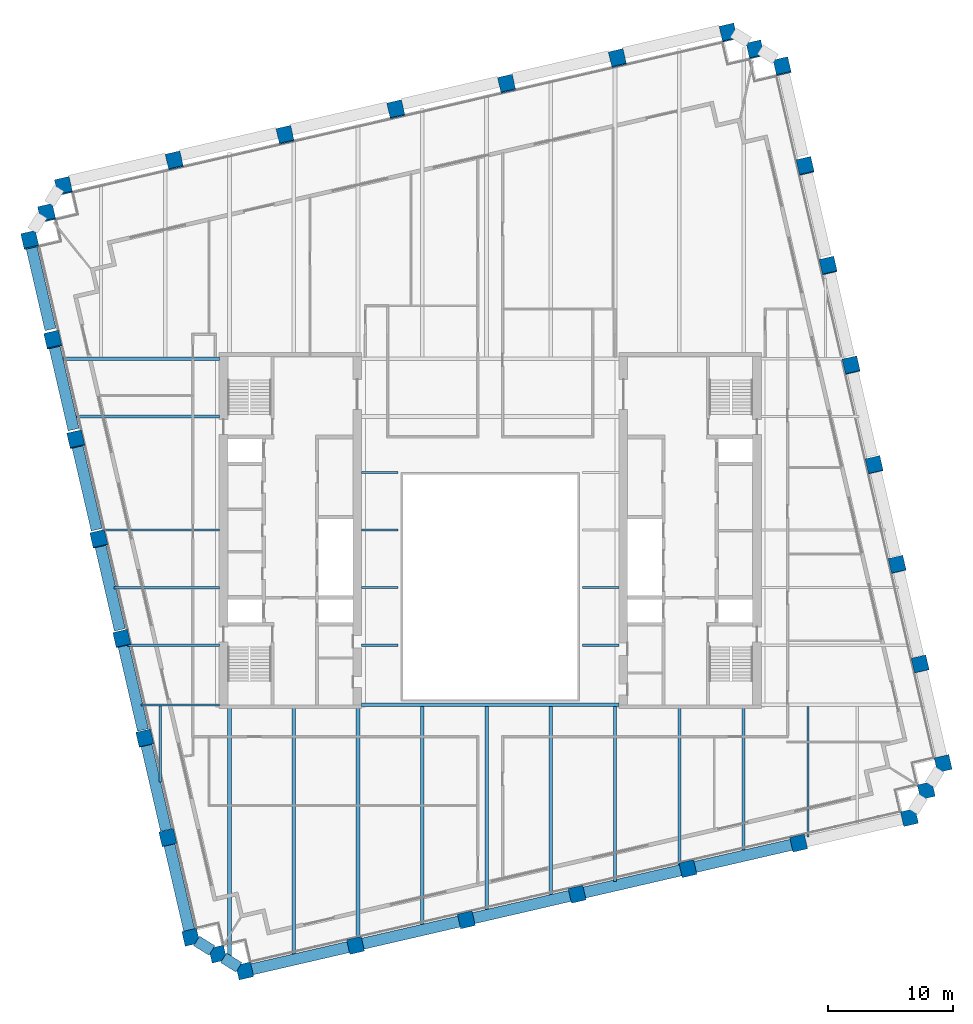
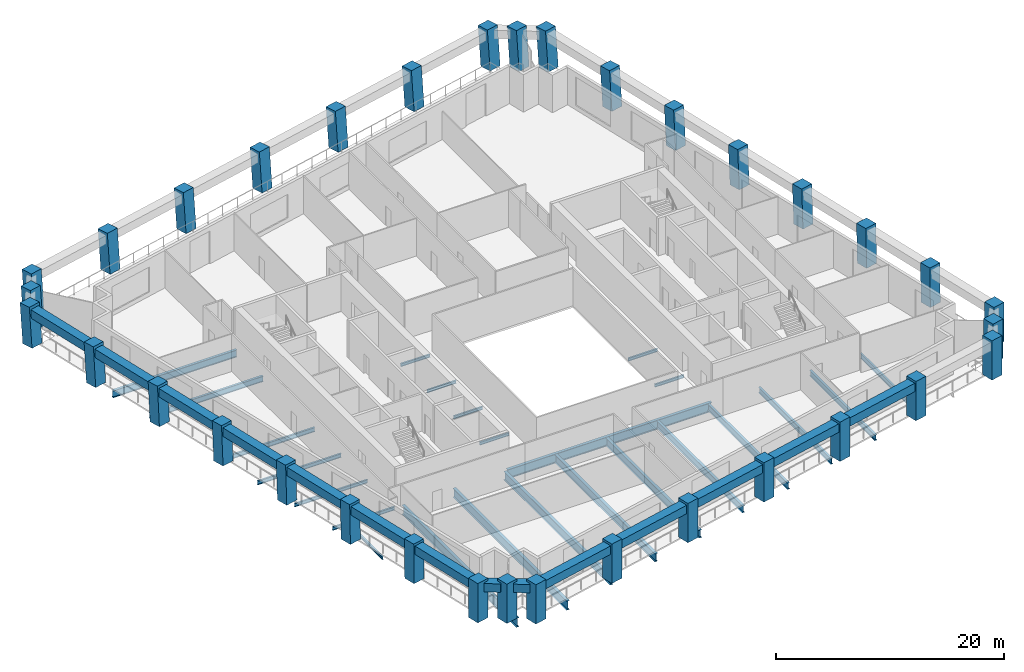
# One storey, part 1 of 10: 38 beams, 34 columns.
"""IFC4 building model written with IfcOpenShell, lengths in metres."""

from ifc_helpers import new_model, si_unit, direction, frame, origin, origin_2d, place, context, subcontext, project, spatial, rectangle, i_section, extrude, material, material_profile, profile_set, type_object, element, save


model = new_model("IFC4")

# Units and contexts
model_context = context("Model", 3, precision=1e-05, world=origin(), true_north=direction((0.0, 1.0)))
body_context = subcontext(model_context, "Body", "Model", "MODEL_VIEW")
ifc_project = project(units=[si_unit("LENGTHUNIT", "METRE"), si_unit("AREAUNIT", "SQUARE_METRE"), si_unit("VOLUMEUNIT", "CUBIC_METRE"), si_unit("PLANEANGLEUNIT", "RADIAN"), si_unit("MASSUNIT", "GRAM", prefix="KILO")], contexts=[model_context])

# Site, building, storey
site_placement = place(None, origin())
site = spatial("IfcSite", under=ifc_project, at=site_placement, CompositionType="ELEMENT")
building_placement = place(site_placement, origin())
building = spatial("IfcBuilding", under=site, at=building_placement, Name="Ogive Exchange Tower", CompositionType="ELEMENT")
storey_placement = place(building_placement, frame((0.0, 0.0, 196.800048828125)))
storey = spatial("IfcBuildingStorey", under=building, at=storey_placement, Name="L43", CompositionType="ELEMENT", Elevation=196.800048828125)

# Columns
ifc_material_1 = material(Name="Precast concrete C70/85 (limestone faced)", Category="masonry")
ifc_material_profile_1 = material_profile(ifc_material_1, rectangle(XDim=1.199951171875, YDim=1.199951171875, at=origin_2d()), Name="1200 x 1200")
ifc_profile_set_1 = profile_set([ifc_material_profile_1], Name="Precast concrete C70/85 (limestone faced)")
column_type = type_object("IfcColumnType", Name="Precast exoskeleton leg 1200 x 1200 C70/85", PredefinedType="COLUMN", material=ifc_profile_set_1)
for number, where, z_axis, x_axis, name in (
    (1, (-19.6494140625, -23.749267578125, 0.0), (0.0, 0.0, 1.0), (0.974370064785, 0.224951054344, 0.0), "Exoskeleton leg 1"),
    (2, (-10.782470703125, -21.7021484375, 0.0), (0.0, 0.0, 1.0), (0.974370064785, 0.224951054344, 0.0), "Exoskeleton leg 2"),
    (3, (-1.915771484375, -19.655029296875, 0.0), (0.0, 0.0, 1.0), (0.974370064785, 0.224951054344, 0.0), "Exoskeleton leg 3"),
    (4, (6.950927734375, -17.60791015625, 0.0), (0.0, 0.0, 1.0), (0.974370064785, 0.224951054344, 0.0), "Exoskeleton leg 4"),
    (5, (15.81787109375, -15.56103515625, 0.0), (0.0, 0.0, 1.0), (0.974370064785, 0.224951054344, 0.0), "Exoskeleton leg 5"),
    (6, (24.6845703125, -13.513916015625, 0.0), (0.0, 0.0, 1.0), (0.974370064785, 0.224951054344, 0.0), "Exoskeleton leg 6"),
    (7, (33.55126953125, -11.466796875, 0.0), (0.0, 0.0, 1.0), (0.974370064785, 0.224951054344, 0.0), "Exoskeleton leg 7"),
    (8, (36.249267578125, -7.1494140625, 0.0), (0.0, 0.0, 1.0), (0.974370064785, 0.224951054344, 0.0), "Exoskeleton leg 8"),
):
    element("IfcColumn", number, at=place(storey_placement, frame(where, z_axis=z_axis, x_axis=x_axis)), inside=storey, type_object=column_type, Name=name, PredefinedType="COLUMN", context=body_context, shape_type="SweptSolid", body=[
        extrude(rectangle(XDim=1.199951171875, YDim=1.199951171875, at=origin_2d()), origin(), (0.0, 0.0, 1.0), 4.199951171875),
    ])
column_1_placement = place(storey_placement, frame((34.410400390625, 0.815673828125, 0.0), z_axis=(-0.002731884952, 0.01168316756, 0.999928017609), x_axis=(-0.973733900744, -0.227689021567, 0.0)))
element("IfcColumn", 9, at=column_1_placement, inside=storey, type_object=column_type, Name="Exoskeleton leg 9", PredefinedType="COLUMN", context=body_context, shape_type="SweptSolid", body=[
    extrude(rectangle(XDim=1.199951171875, YDim=1.199951171875, at=origin_2d()), origin(), (0.0, 0.0, 1.0), 4.2001953125),
])
column_2_placement = place(storey_placement, frame((32.571533203125, 8.78076171875, 0.0), z_axis=(-0.005404479485, 0.023361298418, 0.999712479335), x_axis=(-0.974268511785, -0.225390476607, 0.0)))
element("IfcColumn", 10, at=column_2_placement, inside=storey, type_object=column_type, Name="Exoskeleton leg 10", PredefinedType="COLUMN", context=body_context, shape_type="SweptSolid", body=[
    extrude(rectangle(XDim=1.199951171875, YDim=1.199951171875, at=origin_2d()), origin(), (0.0, 0.0, 1.0), 4.201171875),
])
column_3_placement = place(storey_placement, frame((30.732666015625, 16.745849609375, 0.0), z_axis=(-0.008132835078, 0.035087374195, 0.999351156084), x_axis=(-0.97417327444, -0.225801752354, 0.0)))
element("IfcColumn", 11, at=column_3_placement, inside=storey, type_object=column_type, Name="Exoskeleton leg 11", PredefinedType="COLUMN", context=body_context, shape_type="SweptSolid", body=[
    extrude(rectangle(XDim=1.199951171875, YDim=1.199951171875, at=origin_2d()), origin(), (0.0, 0.0, 1.0), 4.20263671875),
])
column_4_placement = place(storey_placement, frame((28.893798828125, 24.710693359375, 0.0), z_axis=(-0.010799619665, 0.046740289408, 0.998848694028), x_axis=(-0.974329962248, -0.225124686929, 0.0)))
element("IfcColumn", 12, at=column_4_placement, inside=storey, type_object=column_type, Name="Exoskeleton leg 12", PredefinedType="COLUMN", context=body_context, shape_type="SweptSolid", body=[
    extrude(rectangle(XDim=1.199951171875, YDim=1.199951171875, at=origin_2d()), origin(), (0.0, 0.0, 1.0), 4.204833984375),
])
column_5_placement = place(storey_placement, frame((27.0546875, 32.67578125, 0.0), z_axis=(-0.013461799865, 0.058373149415, 0.998204064995), x_axis=(-0.974423835271, -0.224718021653, 0.0)))
element("IfcColumn", 13, at=column_5_placement, inside=storey, type_object=column_type, Name="Exoskeleton leg 13", PredefinedType="COLUMN", context=body_context, shape_type="SweptSolid", body=[
    extrude(rectangle(XDim=1.199951171875, YDim=1.199951171875, at=origin_2d()), origin(), (0.0, 0.0, 1.0), 4.20751953125),
])
column_6_placement = place(storey_placement, frame((25.216064453125, 40.640869140625, 0.0), z_axis=(-0.016176147103, 0.070038658424, 0.997413113304), x_axis=(-0.97435039746, -0.225036225904, 0.0)))
element("IfcColumn", 14, at=column_6_placement, inside=storey, type_object=column_type, Name="Exoskeleton leg 14", PredefinedType="COLUMN", context=body_context, shape_type="SweptSolid", body=[
    extrude(rectangle(XDim=1.199951171875, YDim=1.199951171875, at=origin_2d()), origin(), (0.0, 0.0, 1.0), 4.2109375),
])
for number, where, z_axis, x_axis, name in (
    (15, (23.377197265625, 48.60595703125, 0.0), (-0.018883660707, 0.081558878144, 0.996489616983), (-0.974227676113, -0.225566919327, 0.0), "Exoskeleton leg 15"),
    (16, (19.0595703125, 51.3037109375, 0.0), (-0.018883571463, 0.081616417765, 0.996484907603), (-0.974262845894, -0.225414966474, 0.0), "Exoskeleton leg 16"),
    (17, (10.19287109375, 49.2568359375, 0.0), (-0.018883660707, 0.081558878144, 0.996489616983), (-0.974227676113, -0.225566919327, 0.0), "Exoskeleton leg 17"),
    (18, (1.325927734375, 47.209716796875, 0.0), (-0.018825666958, 0.081616506903, 0.99648599592), (-0.974414501624, -0.224758490439, 0.0), "Exoskeleton leg 18"),
    (19, (-7.540771484375, 45.16259765625, 0.0), (-0.018825666958, 0.081616506903, 0.99648599592), (-0.974414501624, -0.224758490439, 0.0), "Exoskeleton leg 19"),
    (20, (-16.407470703125, 43.115478515625, 0.0), (-0.018825666958, 0.081616506903, 0.99648599592), (-0.974414501624, -0.224758490439, 0.0), "Exoskeleton leg 20"),
    (21, (-25.2744140625, 41.068603515625, 0.0), (-0.018825666958, 0.081616506903, 0.99648599592), (-0.974414501624, -0.224758490439, 0.0), "Exoskeleton leg 21"),
    (22, (-34.14111328125, 39.021484375, 0.0), (-0.018825666958, 0.081616506903, 0.99648599592), (-0.974414501624, -0.224758490439, 0.0), "Exoskeleton leg 22"),
    (23, (-36.839111328125, 34.7041015625, 0.0), (-0.018825755928, 0.08155896722, 0.996490705315), (-0.974379530941, -0.22491004798, 0.0), "Exoskeleton leg 23"),
):
    element("IfcColumn", number, at=place(storey_placement, frame(where, z_axis=z_axis, x_axis=x_axis)), inside=storey, type_object=column_type, Name=name, PredefinedType="COLUMN", context=body_context, shape_type="SweptSolid", body=[
        extrude(rectangle(XDim=1.199951171875, YDim=1.199951171875, at=origin_2d()), origin(), (0.0, 0.0, 1.0), 4.21484375),
    ])
column_7_placement = place(storey_placement, frame((-35.0, 26.739013671875, 0.0), z_axis=(-0.016176212764, 0.069980963462, 0.99741716192), x_axis=(-0.974309502923, -0.225213215672, 0.0)))
element("IfcColumn", 24, at=column_7_placement, inside=storey, type_object=column_type, Name="Exoskeleton leg 24", PredefinedType="COLUMN", context=body_context, shape_type="SweptSolid", body=[
    extrude(rectangle(XDim=1.199951171875, YDim=1.199951171875, at=origin_2d()), origin(), (0.0, 0.0, 1.0), 4.2109375),
])
column_8_placement = place(storey_placement, frame((-33.1611328125, 18.77392578125, 0.0), z_axis=(-0.013519814281, 0.05837310372, 0.998203283597), x_axis=(-0.974211350104, -0.225637420054, 0.0)))
element("IfcColumn", 25, at=column_8_placement, inside=storey, type_object=column_type, Name="Exoskeleton leg 25", PredefinedType="COLUMN", context=body_context, shape_type="SweptSolid", body=[
    extrude(rectangle(XDim=1.199951171875, YDim=1.199951171875, at=origin_2d()), origin(), (0.0, 0.0, 1.0), 4.20751953125),
])
column_9_placement = place(storey_placement, frame((-31.322509765625, 10.808837890625, 0.0), z_axis=(-0.010741563911, 0.046740318638, 0.998849318675), x_axis=(-0.974594841169, -0.223975211946, 0.0)))
element("IfcColumn", 26, at=column_9_placement, inside=storey, type_object=column_type, Name="Exoskeleton leg 26", PredefinedType="COLUMN", context=body_context, shape_type="SweptSolid", body=[
    extrude(rectangle(XDim=1.199951171875, YDim=1.199951171875, at=origin_2d()), origin(), (0.0, 0.0, 1.0), 4.204833984375),
])
column_10_placement = place(storey_placement, frame((-29.4833984375, 2.84375, 0.0), z_axis=(-0.008132835078, 0.035087374195, 0.999351156084), x_axis=(-0.97417327444, -0.225801752354, 0.0)))
element("IfcColumn", 27, at=column_10_placement, inside=storey, type_object=column_type, Name="Exoskeleton leg 27", PredefinedType="COLUMN", context=body_context, shape_type="SweptSolid", body=[
    extrude(rectangle(XDim=1.199951171875, YDim=1.199951171875, at=origin_2d()), origin(), (0.0, 0.0, 1.0), 4.20263671875),
])
column_11_placement = place(storey_placement, frame((-27.64453125, -5.12109375, 0.0), z_axis=(-0.005404479485, 0.023361298418, 0.999712479335), x_axis=(-0.974268511785, -0.225390476607, 0.0)))
element("IfcColumn", 28, at=column_11_placement, inside=storey, type_object=column_type, Name="Exoskeleton leg 28", PredefinedType="COLUMN", context=body_context, shape_type="SweptSolid", body=[
    extrude(rectangle(XDim=1.199951171875, YDim=1.199951171875, at=origin_2d()), origin(), (0.0, 0.0, 1.0), 4.201171875),
])
column_12_placement = place(storey_placement, frame((-25.8056640625, -13.086181640625, 0.0), z_axis=(-0.002731884952, 0.01168316756, 0.999928017609), x_axis=(-0.973733900744, -0.227689021567, 0.0)))
element("IfcColumn", 29, at=column_12_placement, inside=storey, type_object=column_type, Name="Exoskeleton leg 29", PredefinedType="COLUMN", context=body_context, shape_type="SweptSolid", body=[
    extrude(rectangle(XDim=1.199951171875, YDim=1.199951171875, at=origin_2d()), origin(), (0.0, 0.0, 1.0), 4.2001953125),
])
for number, where, z_axis, x_axis, name in (
    (30, (-23.966796875, -21.05126953125, 0.0), (0.0, 0.0, 1.0), (0.974370064785, 0.224951054344, 0.0), "Exoskeleton leg 30"),
    (31, (34.900146484375, -9.30810546875, 0.0), (0.0, 0.0, 1.0), (0.974370064785, 0.224951054344, 0.0), "Exoskeleton leg 31"),
):
    element("IfcColumn", number, at=place(storey_placement, frame(where, z_axis=z_axis, x_axis=x_axis)), inside=storey, type_object=column_type, Name=name, PredefinedType="COLUMN", context=body_context, shape_type="SweptSolid", body=[
        extrude(rectangle(XDim=1.199951171875, YDim=1.199951171875, at=origin_2d()), origin(), (0.0, 0.0, 1.0), 4.199951171875),
    ])
for number, where, z_axis, x_axis, name in (
    (32, (21.21826171875, 49.954833984375, 0.0), (-0.018825666958, 0.081616506903, 0.99648599592), (-0.974414501624, -0.224758490439, 0.0), "Exoskeleton leg 32"),
    (33, (-35.489990234375, 36.86279296875, 0.0), (-0.018825755928, 0.08155896722, 0.996490705315), (-0.974379530941, -0.22491004798, 0.0), "Exoskeleton leg 33"),
):
    element("IfcColumn", number, at=place(storey_placement, frame(where, z_axis=z_axis, x_axis=x_axis)), inside=storey, type_object=column_type, Name=name, PredefinedType="COLUMN", context=body_context, shape_type="SweptSolid", body=[
        extrude(rectangle(XDim=1.199951171875, YDim=1.199951171875, at=origin_2d()), origin(), (0.0, 0.0, 1.0), 4.21484375),
    ])
column_13_placement = place(storey_placement, frame((-21.80810546875, -22.400146484375, 0.0), z_axis=(0.0, 0.0, 1.0), x_axis=(0.974370064785, 0.224951054344, 0.0)))
element("IfcColumn", 34, at=column_13_placement, inside=storey, type_object=column_type, Name="Exoskeleton leg 34", PredefinedType="COLUMN", context=body_context, shape_type="SweptSolid", body=[
    extrude(rectangle(XDim=1.199951171875, YDim=1.199951171875, at=origin_2d()), origin(), (0.0, 0.0, 1.0), 4.199951171875),
])

# Beams
ifc_material_2 = material(Name="Steel ASTM A992 Gr50", Category="steel")
ifc_material_profile_2 = material_profile(ifc_material_2, i_section(OverallWidth=0.300048828125, OverallDepth=0.969970703125, WebThickness=0.01611328125, FlangeThickness=0.02099609375, at=origin_2d()), Name="W1000x222")
ifc_profile_set_2 = profile_set([ifc_material_profile_2], Name="Steel ASTM A992 Gr50")
beam_type_1 = type_object("IfcBeamType", Name="Floor beam W1000x222", PredefinedType="JOIST", material=ifc_profile_set_2)
beam_1_placement = place(storey_placement, frame((-20.868896484375, -22.6064453125, -0.68505859375), z_axis=(0.0, 1.0, 0.0), x_axis=(-1.0, 0.0, 0.0)))
element("IfcBeam", 35, at=beam_1_placement, inside=storey, type_object=beam_type_1, Name="Floor beam", PredefinedType="JOIST", context=body_context, shape_type="SweptSolid", body=[
    extrude(i_section(OverallWidth=0.300048828125, OverallDepth=0.969970703125, WebThickness=0.01611328125, FlangeThickness=0.02099609375, at=origin_2d()), origin(), (0.0, 0.0, 1.0), 20.00634765625),
])
beam_2_placement = place(storey_placement, frame((-15.725341796875, -22.531494140625, -0.68505859375), z_axis=(0.0, 1.0, 0.0), x_axis=(-1.0, 0.0, 0.0)))
element("IfcBeam", 36, at=beam_2_placement, inside=storey, type_object=beam_type_1, Name="Floor beam", PredefinedType="JOIST", context=body_context, shape_type="SweptSolid", body=[
    extrude(i_section(OverallWidth=0.300048828125, OverallDepth=0.969970703125, WebThickness=0.01611328125, FlangeThickness=0.02099609375, at=origin_2d()), origin(), (0.0, 0.0, 1.0), 19.931396484375),
])
ifc_material_profile_3 = material_profile(ifc_material_2, i_section(OverallWidth=0.1650390625, OverallDepth=0.31005859375, WebThickness=0.005859375, FlangeThickness=0.009765625, at=origin_2d()), Name="W310x38.7")
ifc_profile_set_3 = profile_set([ifc_material_profile_3], Name="Steel ASTM A992 Gr50")
beam_type_2 = type_object("IfcBeamType", Name="Floor beam W310x38.7", PredefinedType="JOIST", material=ifc_profile_set_3)
for number, where, z_axis, x_axis, name in (
    (37, (-10.320068359375, 2.3212890625, -0.35498046875), (1.0, 0.0, 0.0), (0.0, 1.0, 0.0), "Floor beam"),
    (38, (7.3701171875, 2.3212890625, -0.35498046875), (1.0, 0.0, 0.0), (0.0, 1.0, 0.0), "Floor beam"),
    (39, (-10.320068359375, 6.9326171875, -0.35498046875), (1.0, 0.0, 0.0), (0.0, 1.0, 0.0), "Floor beam"),
    (40, (7.3701171875, 6.9326171875, -0.35498046875), (1.0, 0.0, 0.0), (0.0, 1.0, 0.0), "Floor beam"),
    (41, (-10.320068359375, 11.543701171875, -0.35498046875), (1.0, 0.0, 0.0), (0.0, 1.0, 0.0), "Floor beam"),
):
    element("IfcBeam", number, at=place(storey_placement, frame(where, z_axis=z_axis, x_axis=x_axis)), inside=storey, type_object=beam_type_2, Name=name, PredefinedType="JOIST", context=body_context, shape_type="SweptSolid", body=[
        extrude(i_section(OverallWidth=0.1650390625, OverallDepth=0.31005859375, WebThickness=0.005859375, FlangeThickness=0.009765625, at=origin_2d()), origin(), (0.0, 0.0, 1.0), 2.949951171875),
    ])
beam_3_placement = place(storey_placement, frame((-26.412353515625, -8.6083984375, -0.35498046875), z_axis=(0.0, 1.0, 0.0), x_axis=(-1.0, 0.0, 0.0)))
element("IfcBeam", 42, at=beam_3_placement, inside=storey, type_object=beam_type_2, Name="Floor beam", PredefinedType="JOIST", context=body_context, shape_type="SweptSolid", body=[
    extrude(i_section(OverallWidth=0.1650390625, OverallDepth=0.31005859375, WebThickness=0.005859375, FlangeThickness=0.009765625, at=origin_2d()), origin(), (0.0, 0.0, 1.0), 6.077880859375),
])
ifc_material_profile_4 = material_profile(ifc_material_2, i_section(OverallWidth=0.1708984375, OverallDepth=0.35595703125, WebThickness=0.00732421875, FlangeThickness=0.01171875, at=origin_2d()), Name="W360x51")
ifc_profile_set_4 = profile_set([ifc_material_profile_4], Name="Steel ASTM A992 Gr50")
beam_type_3 = type_object("IfcBeamType", Name="Floor beam W360x51", PredefinedType="JOIST", material=ifc_profile_set_4)
beam_4_placement = place(storey_placement, frame((-29.051025390625, 2.3212890625, -0.3779296875), z_axis=(1.0, 0.0, 0.0), x_axis=(0.0, 1.0, 0.0)))
element("IfcBeam", 43, at=beam_4_placement, inside=storey, type_object=beam_type_3, Name="Floor beam", PredefinedType="JOIST", context=body_context, shape_type="SweptSolid", body=[
    extrude(i_section(OverallWidth=0.1708984375, OverallDepth=0.35595703125, WebThickness=0.00732421875, FlangeThickness=0.01171875, at=origin_2d()), origin(), (0.0, 0.0, 1.0), 7.37109375),
])
ifc_material_profile_5 = material_profile(ifc_material_2, i_section(OverallWidth=0.177978515625, OverallDepth=0.406005859375, WebThickness=0.0078125, FlangeThickness=0.0126953125, at=origin_2d()), Name="W410x60")
ifc_profile_set_5 = profile_set([ifc_material_profile_5], Name="Steel ASTM A992 Gr50")
beam_type_4 = type_object("IfcBeamType", Name="Floor beam W410x60", PredefinedType="JOIST", material=ifc_profile_set_5)
beam_5_placement = place(storey_placement, frame((-30.115478515625, 6.9326171875, -0.403076171875), z_axis=(1.0, 0.0, 0.0), x_axis=(0.0, 1.0, 0.0)))
element("IfcBeam", 44, at=beam_5_placement, inside=storey, type_object=beam_type_4, Name="Floor beam", PredefinedType="JOIST", context=body_context, shape_type="SweptSolid", body=[
    extrude(i_section(OverallWidth=0.177978515625, OverallDepth=0.406005859375, WebThickness=0.0078125, FlangeThickness=0.0126953125, at=origin_2d()), origin(), (0.0, 0.0, 1.0), 8.435546875),
])
ifc_material_profile_6 = material_profile(ifc_material_2, i_section(OverallWidth=0.19091796875, OverallDepth=0.45703125, WebThickness=0.009033203125, FlangeThickness=0.014404296875, at=origin_2d()), Name="W460x74")
ifc_profile_set_6 = profile_set([ifc_material_profile_6], Name="Steel ASTM A992 Gr50")
beam_type_5 = type_object("IfcBeamType", Name="Floor beam W460x74", PredefinedType="JOIST", material=ifc_profile_set_6)
beam_6_placement = place(storey_placement, frame((-31.0302734375, 11.543701171875, -0.428466796875), z_axis=(1.0, 0.0, 0.0), x_axis=(0.0, 1.0, 0.0)))
element("IfcBeam", 45, at=beam_6_placement, inside=storey, type_object=beam_type_5, Name="Floor beam", PredefinedType="JOIST", context=body_context, shape_type="SweptSolid", body=[
    extrude(i_section(OverallWidth=0.19091796875, OverallDepth=0.45703125, WebThickness=0.009033203125, FlangeThickness=0.014404296875, at=origin_2d()), origin(), (0.0, 0.0, 1.0), 9.350341796875),
])
ifc_material_profile_7 = material_profile(ifc_material_2, i_section(OverallWidth=0.1669921875, OverallDepth=0.535888671875, WebThickness=0.01025390625, FlangeThickness=0.0166015625, at=origin_2d()), Name="W530x85")
ifc_profile_set_7 = profile_set([ifc_material_profile_7], Name="Steel ASTM A992 Gr50")
beam_type_6 = type_object("IfcBeamType", Name="Floor beam W530x85", PredefinedType="JOIST", material=ifc_profile_set_7)
beam_7_placement = place(storey_placement, frame((25.422607421875, -13.03173828125, -0.468017578125), z_axis=(0.0, 1.0, 0.0), x_axis=(-1.0, 0.0, 0.0)))
element("IfcBeam", 46, at=beam_7_placement, inside=storey, type_object=beam_type_6, Name="Floor beam", PredefinedType="JOIST", context=body_context, shape_type="SweptSolid", body=[
    extrude(i_section(OverallWidth=0.1669921875, OverallDepth=0.535888671875, WebThickness=0.01025390625, FlangeThickness=0.0166015625, at=origin_2d()), origin(), (0.0, 0.0, 1.0), 10.453125),
])
ifc_material_profile_8 = material_profile(ifc_material_2, i_section(OverallWidth=0.22802734375, OverallDepth=0.60205078125, WebThickness=0.010498046875, FlangeThickness=0.014892578125, at=origin_2d()), Name="W610x101")
ifc_profile_set_8 = profile_set([ifc_material_profile_8], Name="Steel ASTM A992 Gr50")
beam_type_7 = type_object("IfcBeamType", Name="Floor beam W610x101", PredefinedType="JOIST", material=ifc_profile_set_8)
beam_8_placement = place(storey_placement, frame((-33.126220703125, 20.62255859375, -0.5009765625), z_axis=(1.0, 0.0, 0.0), x_axis=(0.0, 1.0, 0.0)))
element("IfcBeam", 47, at=beam_8_placement, inside=storey, type_object=beam_type_7, Name="Floor beam", PredefinedType="JOIST", context=body_context, shape_type="SweptSolid", body=[
    extrude(i_section(OverallWidth=0.22802734375, OverallDepth=0.60205078125, WebThickness=0.010498046875, FlangeThickness=0.014892578125, at=origin_2d()), origin(), (0.0, 0.0, 1.0), 11.4462890625),
])
beam_9_placement = place(storey_placement, frame((20.279052734375, -14.069091796875, -0.5009765625), z_axis=(0.0, 1.0, 0.0), x_axis=(-1.0, 0.0, 0.0)))
element("IfcBeam", 48, at=beam_9_placement, inside=storey, type_object=beam_type_7, Name="Floor beam", PredefinedType="JOIST", context=body_context, shape_type="SweptSolid", body=[
    extrude(i_section(OverallWidth=0.22802734375, OverallDepth=0.60205078125, WebThickness=0.010498046875, FlangeThickness=0.014892578125, at=origin_2d()), origin(), (0.0, 0.0, 1.0), 11.468994140625),
])
ifc_material_profile_9 = material_profile(ifc_material_2, i_section(OverallWidth=0.22900390625, OverallDepth=0.612060546875, WebThickness=0.011962890625, FlangeThickness=0.01953125, at=origin_2d()), Name="W610x125")
ifc_profile_set_9 = profile_set([ifc_material_profile_9], Name="Steel ASTM A992 Gr50")
beam_type_8 = type_object("IfcBeamType", Name="Floor beam W610x125", PredefinedType="JOIST", material=ifc_profile_set_9)
beam_10_placement = place(storey_placement, frame((15.135498046875, -15.256591796875, -0.506103515625), z_axis=(0.0, 1.0, 0.0), x_axis=(-1.0, 0.0, 0.0)))
element("IfcBeam", 49, at=beam_10_placement, inside=storey, type_object=beam_type_8, Name="Floor beam", PredefinedType="JOIST", context=body_context, shape_type="SweptSolid", body=[
    extrude(i_section(OverallWidth=0.22900390625, OverallDepth=0.612060546875, WebThickness=0.011962890625, FlangeThickness=0.01953125, at=origin_2d()), origin(), (0.0, 0.0, 1.0), 12.656494140625),
])
ifc_material_profile_10 = material_profile(ifc_material_2, i_section(OverallWidth=0.25390625, OverallDepth=0.677978515625, WebThickness=0.01171875, FlangeThickness=0.016357421875, at=origin_2d()), Name="W690x125")
ifc_profile_set_10 = profile_set([ifc_material_profile_10], Name="Steel ASTM A992 Gr50")
beam_type_9 = type_object("IfcBeamType", Name="Floor beam W690x125", PredefinedType="JOIST", material=ifc_profile_set_10)
beam_11_placement = place(storey_placement, frame((9.9921875, -16.593994140625, -0.5390625), z_axis=(0.0, 1.0, 0.0), x_axis=(-1.0, 0.0, 0.0)))
element("IfcBeam", 50, at=beam_11_placement, inside=storey, type_object=beam_type_9, Name="Floor beam", PredefinedType="JOIST", context=body_context, shape_type="SweptSolid", body=[
    extrude(i_section(OverallWidth=0.25390625, OverallDepth=0.677978515625, WebThickness=0.01171875, FlangeThickness=0.016357421875, at=origin_2d()), origin(), (0.0, 0.0, 1.0), 13.9990234375),
])
ifc_material_profile_11 = material_profile(ifc_material_2, i_section(OverallWidth=0.26708984375, OverallDepth=0.75390625, WebThickness=0.01318359375, FlangeThickness=0.01708984375, at=origin_2d()), Name="W760x147")
ifc_profile_set_11 = profile_set([ifc_material_profile_11], Name="Steel ASTM A992 Gr50")
beam_type_10 = type_object("IfcBeamType", Name="Floor beam W760x147", PredefinedType="JOIST", material=ifc_profile_set_11)
beam_12_placement = place(storey_placement, frame((4.8486328125, -17.631591796875, -0.5771484375), z_axis=(0.0, 1.0, 0.0), x_axis=(-1.0, 0.0, 0.0)))
element("IfcBeam", 51, at=beam_12_placement, inside=storey, type_object=beam_type_10, Name="Floor beam", PredefinedType="JOIST", context=body_context, shape_type="SweptSolid", body=[
    extrude(i_section(OverallWidth=0.26708984375, OverallDepth=0.75390625, WebThickness=0.01318359375, FlangeThickness=0.01708984375, at=origin_2d()), origin(), (0.0, 0.0, 1.0), 15.03662109375),
])
ifc_material_profile_12 = material_profile(ifc_material_2, i_section(OverallWidth=0.2919921875, OverallDepth=0.8359375, WebThickness=0.013916015625, FlangeThickness=0.018798828125, at=origin_2d()), Name="W840x176")
ifc_profile_set_12 = profile_set([ifc_material_profile_12], Name="Steel ASTM A992 Gr50")
beam_type_11 = type_object("IfcBeamType", Name="Floor beam W840x176", PredefinedType="JOIST", material=ifc_profile_set_12)
beam_13_placement = place(storey_placement, frame((-0.294921875, -18.968994140625, -0.6181640625), z_axis=(0.0, 1.0, 0.0), x_axis=(-1.0, 0.0, 0.0)))
element("IfcBeam", 52, at=beam_13_placement, inside=storey, type_object=beam_type_11, Name="Floor beam", PredefinedType="JOIST", context=body_context, shape_type="SweptSolid", body=[
    extrude(i_section(OverallWidth=0.2919921875, OverallDepth=0.8359375, WebThickness=0.013916015625, FlangeThickness=0.018798828125, at=origin_2d()), origin(), (0.0, 0.0, 1.0), 16.3740234375),
])
ifc_material_profile_13 = material_profile(ifc_material_2, i_section(OverallWidth=0.2919921875, OverallDepth=0.845947265625, WebThickness=0.015380859375, FlangeThickness=0.0244140625, at=origin_2d()), Name="W840x210")
ifc_profile_set_13 = profile_set([ifc_material_profile_13], Name="Steel ASTM A992 Gr50")
beam_type_12 = type_object("IfcBeamType", Name="Floor beam W840x210", PredefinedType="JOIST", material=ifc_profile_set_13)
beam_14_placement = place(storey_placement, frame((-5.4384765625, -20.156494140625, -0.623046875), z_axis=(0.0, 1.0, 0.0), x_axis=(-1.0, 0.0, 0.0)))
element("IfcBeam", 53, at=beam_14_placement, inside=storey, type_object=beam_type_12, Name="Floor beam", PredefinedType="JOIST", context=body_context, shape_type="SweptSolid", body=[
    extrude(i_section(OverallWidth=0.2919921875, OverallDepth=0.845947265625, WebThickness=0.015380859375, FlangeThickness=0.0244140625, at=origin_2d()), origin(), (0.0, 0.0, 1.0), 17.5615234375),
])
ifc_material_profile_14 = material_profile(ifc_material_2, i_section(OverallWidth=0.304931640625, OverallDepth=0.904052734375, WebThickness=0.01513671875, FlangeThickness=0.02001953125, at=origin_2d()), Name="W920x201")
ifc_profile_set_14 = profile_set([ifc_material_profile_14], Name="Steel ASTM A992 Gr50")
beam_type_13 = type_object("IfcBeamType", Name="Floor beam W920x201", PredefinedType="JOIST", material=ifc_profile_set_14)
beam_15_placement = place(storey_placement, frame((-10.581787109375, -21.194091796875, -0.652099609375), z_axis=(0.0, 1.0, 0.0), x_axis=(-1.0, 0.0, 0.0)))
element("IfcBeam", 54, at=beam_15_placement, inside=storey, type_object=beam_type_13, Name="Floor beam", PredefinedType="JOIST", context=body_context, shape_type="SweptSolid", body=[
    extrude(i_section(OverallWidth=0.304931640625, OverallDepth=0.904052734375, WebThickness=0.01513671875, FlangeThickness=0.02001953125, at=origin_2d()), origin(), (0.0, 0.0, 1.0), 18.593994140625),
])
ifc_material_profile_15 = material_profile(ifc_material_2, i_section(OverallWidth=0.300048828125, OverallDepth=0.97998046875, WebThickness=0.0166015625, FlangeThickness=0.026123046875, at=origin_2d()), Name="W1000x249")
ifc_profile_set_15 = profile_set([ifc_material_profile_15], Name="Steel ASTM A992 Gr50")
beam_type_14 = type_object("IfcBeamType", Name="Girder W1000x249", PredefinedType="BEAM", material=ifc_profile_set_15)
beam_16_placement = place(storey_placement, frame((-10.320068359375, -2.445068359375, -0.68994140625), z_axis=(1.0, 0.0, 0.0), x_axis=(0.0, 1.0, 0.0)))
element("IfcBeam", 55, at=beam_16_placement, inside=storey, type_object=beam_type_14, Name="Header girder", PredefinedType="BEAM", context=body_context, shape_type="SweptSolid", body=[
    extrude(i_section(OverallWidth=0.300048828125, OverallDepth=0.97998046875, WebThickness=0.0166015625, FlangeThickness=0.026123046875, at=origin_2d()), origin(), (0.0, 0.0, 1.0), 20.64013671875),
])
ifc_material_profile_16 = material_profile(ifc_material_2, i_section(OverallWidth=0.1650390625, OverallDepth=0.31005859375, WebThickness=0.005859375, FlangeThickness=0.009765625, at=origin_2d()), Name="W310x38.7")
ifc_profile_set_16 = profile_set([ifc_material_profile_16], Name="Steel ASTM A992 Gr50")
beam_type_15 = type_object("IfcBeamType", Name="Girder W310x38.7", PredefinedType="BEAM", material=ifc_profile_set_16)
beam_17_placement = place(storey_placement, frame((-10.320068359375, 16.155029296875, -0.35498046875), z_axis=(1.0, 0.0, 0.0), x_axis=(0.0, 1.0, 0.0)))
element("IfcBeam", 56, at=beam_17_placement, inside=storey, type_object=beam_type_15, Name="Trimmer girder", PredefinedType="BEAM", context=body_context, shape_type="SweptSolid", body=[
    extrude(i_section(OverallWidth=0.1650390625, OverallDepth=0.31005859375, WebThickness=0.005859375, FlangeThickness=0.009765625, at=origin_2d()), origin(), (0.0, 0.0, 1.0), 2.949951171875),
])
ifc_material_profile_17 = material_profile(ifc_material_2, i_section(OverallWidth=0.1708984375, OverallDepth=0.35595703125, WebThickness=0.00732421875, FlangeThickness=0.01171875, at=origin_2d()), Name="W360x51")
ifc_profile_set_17 = profile_set([ifc_material_profile_17], Name="Steel ASTM A992 Gr50")
beam_type_16 = type_object("IfcBeamType", Name="Girder W360x51", PredefinedType="BEAM", material=ifc_profile_set_17)
beam_18_placement = place(storey_placement, frame((-27.95068359375, -2.445068359375, -0.3779296875), z_axis=(1.0, 0.0, 0.0), x_axis=(0.0, 1.0, 0.0)))
element("IfcBeam", 57, at=beam_18_placement, inside=storey, type_object=beam_type_16, Name="Header girder", PredefinedType="BEAM", context=body_context, shape_type="SweptSolid", body=[
    extrude(i_section(OverallWidth=0.1708984375, OverallDepth=0.35595703125, WebThickness=0.00732421875, FlangeThickness=0.01171875, at=origin_2d()), origin(), (0.0, 0.0, 1.0), 6.270751953125),
])
ifc_material_profile_18 = material_profile(ifc_material_2, i_section(OverallWidth=0.26708984375, OverallDepth=0.75390625, WebThickness=0.01318359375, FlangeThickness=0.01708984375, at=origin_2d()), Name="W760x147")
ifc_profile_set_18 = profile_set([ifc_material_profile_18], Name="Steel ASTM A992 Gr50")
beam_type_17 = type_object("IfcBeamType", Name="Girder W760x147", PredefinedType="BEAM", material=ifc_profile_set_18)
beam_19_placement = place(storey_placement, frame((-34.193359375, 25.2451171875, -0.5771484375), z_axis=(1.0, 0.0, 0.0), x_axis=(0.0, 1.0, 0.0)))
element("IfcBeam", 58, at=beam_19_placement, inside=storey, type_object=beam_type_17, Name="Header girder", PredefinedType="BEAM", context=body_context, shape_type="SweptSolid", body=[
    extrude(i_section(OverallWidth=0.26708984375, OverallDepth=0.75390625, WebThickness=0.01318359375, FlangeThickness=0.01708984375, at=origin_2d()), origin(), (0.0, 0.0, 1.0), 12.513427734375),
])
ifc_material_profile_19 = material_profile(ifc_material_1, rectangle(XDim=0.89990234375, YDim=0.89990234375, at=origin_2d()), Name="900 x 900")
ifc_profile_set_19 = profile_set([ifc_material_profile_19], Name="Precast concrete C70/85 (limestone faced)")
beam_type_18 = type_object("IfcBeamType", Name="Precast spandrel 900 x 900 C70/85", PredefinedType="SPANDREL", material=ifc_profile_set_19)
beam_20_placement = place(storey_placement, frame((-19.084228515625, -23.61865234375, 3.5), z_axis=(0.974369944206, 0.224951576629, 0.0), x_axis=(-0.224951576629, 0.974369944206, 0.0)))
element("IfcBeam", 59, at=beam_20_placement, inside=storey, type_object=beam_type_18, Name="Spandrel 1", PredefinedType="SPANDREL", context=body_context, shape_type="SweptSolid", body=[
    extrude(rectangle(XDim=0.89990234375, YDim=0.89990234375, at=origin_2d()), origin(), (0.0, 0.0, 1.0), 7.940185546875),
])
beam_21_placement = place(storey_placement, frame((-10.21728515625, -21.57177734375, 3.5), z_axis=(0.974368388194, 0.224958316335, 0.0), x_axis=(-0.224958316335, 0.974368388194, 0.0)))
element("IfcBeam", 60, at=beam_21_placement, inside=storey, type_object=beam_type_18, Name="Spandrel 2", PredefinedType="SPANDREL", context=body_context, shape_type="SweptSolid", body=[
    extrude(rectangle(XDim=0.89990234375, YDim=0.89990234375, at=origin_2d()), origin(), (0.0, 0.0, 1.0), 7.93994140625),
])
for number, where, z_axis, x_axis, name in (
    (61, (-1.3505859375, -19.524658203125, 3.5), (0.974369944206, 0.224951576629, 0.0), (-0.224951576629, 0.974369944206, 0.0), "Spandrel 3"),
    (62, (7.51611328125, -17.4775390625, 3.5), (0.974369944206, 0.224951576629, 0.0), (-0.224951576629, 0.974369944206, 0.0), "Spandrel 4"),
    (63, (16.3828125, -15.430419921875, 3.5), (0.974369944206, 0.224951576629, 0.0), (-0.224951576629, 0.974369944206, 0.0), "Spandrel 5"),
):
    element("IfcBeam", number, at=place(storey_placement, frame(where, z_axis=z_axis, x_axis=x_axis)), inside=storey, type_object=beam_type_18, Name=name, PredefinedType="SPANDREL", context=body_context, shape_type="SweptSolid", body=[
        extrude(rectangle(XDim=0.89990234375, YDim=0.89990234375, at=origin_2d()), origin(), (0.0, 0.0, 1.0), 7.940185546875),
    ])
for number, where, z_axis, x_axis, name in (
    (64, (-36.787841796875, 34.482666015625, 3.5), (0.224965505788, -0.974366728294, 0.0), (0.974366728294, 0.224965505788, 0.0), "Spandrel 26"),
    (65, (-34.937744140625, 26.468505859375, 3.5), (0.224965505788, -0.974366728294, 0.0), (0.974366728294, 0.224965505788, 0.0), "Spandrel 27"),
    (66, (-33.08740234375, 18.454345703125, 3.5), (0.224932697399, -0.974374302638, 0.0), (0.974374302638, 0.224932697399, 0.0), "Spandrel 28"),
    (67, (-31.2373046875, 10.440185546875, 3.5), (0.224965505788, -0.974366728294, 0.0), (0.974366728294, 0.224965505788, 0.0), "Spandrel 29"),
    (68, (-29.386962890625, 2.426025390625, 3.5), (0.224932697399, -0.974374302638, 0.0), (0.974374302638, 0.224932697399, 0.0), "Spandrel 30"),
    (69, (-27.536865234375, -5.588134765625, 3.5), (0.224965505788, -0.974366728294, 0.0), (0.974366728294, 0.224965505788, 0.0), "Spandrel 31"),
    (70, (-25.6865234375, -13.602294921875, 3.5), (0.224932697399, -0.974374302638, 0.0), (0.974374302638, 0.224932697399, 0.0), "Spandrel 32"),
):
    element("IfcBeam", number, at=place(storey_placement, frame(where, z_axis=z_axis, x_axis=x_axis)), inside=storey, type_object=beam_type_18, Name=name, PredefinedType="SPANDREL", context=body_context, shape_type="SweptSolid", body=[
        extrude(rectangle(XDim=0.89990234375, YDim=0.89990234375, at=origin_2d()), origin(), (0.0, 0.0, 1.0), 7.06494140625),
    ])
for number, where, z_axis, x_axis, name in (
    (71, (-23.501708984375, -21.342041015625, 3.5), (0.848074041941, -0.529877740036, 0.0), (0.529877740036, 0.848074041941, 0.0), "Spandrel 33"),
    (72, (-21.343017578125, -22.69091796875, 3.5), (0.848074041941, -0.529877740036, 0.0), (0.529877740036, 0.848074041941, 0.0), "Spandrel 34"),
):
    element("IfcBeam", number, at=place(storey_placement, frame(where, z_axis=z_axis, x_axis=x_axis)), inside=storey, type_object=beam_type_18, Name=name, PredefinedType="SPANDREL", context=body_context, shape_type="SweptSolid", body=[
        extrude(rectangle(XDim=0.89990234375, YDim=0.89990234375, at=origin_2d()), origin(), (0.0, 0.0, 1.0), 1.448486328125),
    ])

save(model, "model.ifc")
